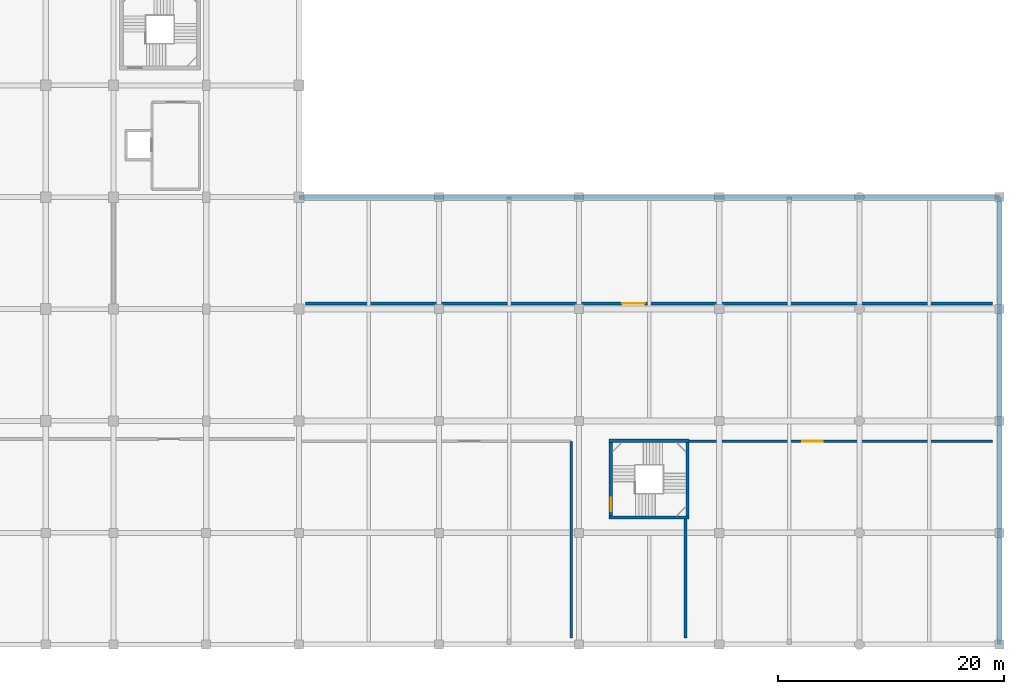
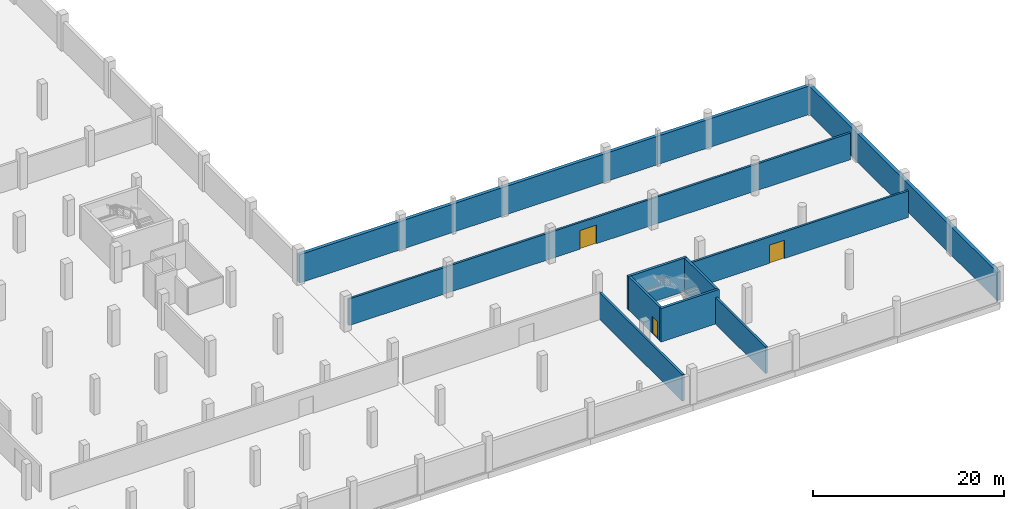
# One storey, part 15 of 32: 10 walls, 3 doors, 3 openings.
"""IFC4 building model written with IfcOpenShell, lengths in metres."""

from ifc_helpers import new_model, si_unit, direction, frame, frame_2d, origin, place, context, subcontext, project, spatial, rectangle, extrude, material, layer, layer_set, type_object, element, fill, save


model = new_model("IFC4")

# Units and contexts
model_context = context("Model", 3, precision=1e-05, world=origin(), true_north=direction((0.0, 1.0)))
body_context = subcontext(model_context, "Body", "Model", "MODEL_VIEW")
ifc_project = project(units=[si_unit("LENGTHUNIT", "METRE"), si_unit("AREAUNIT", "SQUARE_METRE"), si_unit("VOLUMEUNIT", "CUBIC_METRE"), si_unit("PLANEANGLEUNIT", "RADIAN"), si_unit("MASSUNIT", "GRAM", prefix="KILO")], contexts=[model_context])

# Site, building, storey
site_placement = place(None, origin())
site = spatial("IfcSite", under=ifc_project, at=site_placement, CompositionType="ELEMENT")
building_placement = place(site_placement, origin())
building = spatial("IfcBuilding", under=site, at=building_placement, Name="Sillaruma Civic Art Gallery", CompositionType="ELEMENT")
storey_placement = place(building_placement, frame((0.0, 0.0, -4.590087890625)))
storey = spatial("IfcBuildingStorey", under=building, at=storey_placement, Name="B01", CompositionType="ELEMENT", Elevation=-4.590087890625)

# Walls
ifc_material_1 = material(Name="Concrete H40 (40 MPa)", Category="concrete")
ifc_layer_1 = layer(ifc_material_1, 0.300048828125, Name="Concrete H40 (40 MPa)")
ifc_layer_set_1 = layer_set([ifc_layer_1], Name="Concrete H40 (40 MPa)")
wall_type_1 = type_object("IfcWallType", Name="WAL-CORE-300", PredefinedType="SHEAR", material=ifc_layer_set_1)
for number, where, z_axis, x_axis, name in (
    (1, (141.860107421875, 11.25, 0.0), (0.0, 0.0, 1.0), (1.0, 0.0, 0.0), "Stair Core Shear Wall W-CORE-300 (ST-05:B01:S)"),
    (2, (141.860107421875, 18.030029296875, 0.0), (0.0, 0.0, 1.0), (1.0, 0.0, 0.0), "Stair Core Shear Wall W-CORE-300 (ST-05:B01:N)"),
):
    element("IfcWall", number, at=place(storey_placement, frame(where, z_axis=z_axis, x_axis=x_axis)), inside=storey, type_object=wall_type_1, Name=name, PredefinedType="SHEAR", context=body_context, shape_type="SweptSolid", body=[
        extrude(rectangle(XDim=7.079833984375, YDim=0.300048828125, at=frame_2d((3.5400390625, 0.0))), origin(), (0.0, 0.0, 1.0), 4.2900390625),
    ])

# Wall, opening, door
wall_1_placement = place(storey_placement, frame((142.010009765625, 11.39990234375, 0.0), z_axis=(0.0, 0.0, 1.0), x_axis=(0.0, 1.0, 0.0)))
wall_1 = element("IfcWall", 3, at=wall_1_placement, inside=storey, type_object=wall_type_1, Name="Stair Core Shear Wall W-CORE-300 (ST-05:B01:W)", PredefinedType="SHEAR", context=body_context, shape_type="SweptSolid", body=[
    extrude(rectangle(XDim=6.47998046875, YDim=0.300048828125, at=frame_2d((3.239990234375, 0.0))), origin(), (0.0, 0.0, 1.0), 4.2900390625),
])
opening_1_placement = place(wall_1_placement, frame((0.419921875, 0.0, 0.0)))
opening_1 = element("IfcOpeningElement", 4, at=opening_1_placement, cuts=wall_1, Name="Opening D-STAIR", PredefinedType="OPENING", context=body_context, shape_type="SweptSolid", body=[
    extrude(rectangle(XDim=1.199951171875, YDim=2.199951171875, at=frame_2d((0.60009765625, 1.10009765625))), frame((0.0, 0.159912109375, 0.0), z_axis=(0.0, -1.0, 0.0), x_axis=(1.0, 0.0, 0.0)), (0.0, 0.0, 1.0), 0.320068359375),
])
ifc_material_2 = material(Name="Galvanised Steel ASTM A653 Gr.50", Category="steel")
door_type_1 = type_object("IfcDoorType", Name="DOR-STAIR-120", OperationType="NOTDEFINED", PredefinedType="DOOR", material=ifc_material_2)
door_1_placement = place(opening_1_placement, frame((1.199951171875, 0.0, 0.0), z_axis=(0.0, 0.0, 1.0), x_axis=(-1.0, 0.0, 0.0)))
door_1 = element("IfcDoor", 5, at=door_1_placement, inside=storey, type_object=door_type_1, Name="Protected Stair Fire Door (ST-05:B01)", OperationType="SINGLE_SWING_RIGHT", OverallHeight=2.199951171875, OverallWidth=1.199951171875, PredefinedType="DOOR", context=body_context, shape_type="SweptSolid", body=[
    extrude(rectangle(XDim=1.199951171875, YDim=2.199951171875, at=frame_2d((0.60009765625, 1.10009765625))), frame((0.0, 0.02490234375, 0.0), z_axis=(0.0, -1.0, 0.0), x_axis=(1.0, 0.0, 0.0)), (0.0, 0.0, 1.0), 0.050048828125),
])
fill(opening_1, door_1)

# Walls
wall_2_placement = place(storey_placement, frame((148.7900390625, 11.39990234375, 0.0), z_axis=(0.0, 0.0, 1.0), x_axis=(0.0, 1.0, 0.0)))
element("IfcWall", 6, at=wall_2_placement, inside=storey, type_object=wall_type_1, Name="Stair Core Shear Wall W-CORE-300 (ST-05:B01:E)", PredefinedType="SHEAR", context=body_context, shape_type="SweptSolid", body=[
    extrude(rectangle(XDim=6.47998046875, YDim=0.300048828125, at=frame_2d((3.239990234375, 0.0))), origin(), (0.0, 0.0, 1.0), 4.2900390625),
])
ifc_layer_2 = layer(ifc_material_1, 0.39990234375, Name="Concrete H40 (40 MPa)")
ifc_layer_set_2 = layer_set([ifc_layer_2], Name="Concrete H40 (40 MPa)")
wall_type_2 = type_object("IfcWallType", Name="WAL-RET-400", PredefinedType="USERDEFINED", material=ifc_layer_set_2)
wall_3_placement = place(storey_placement, frame((176.39990234375, 0.0, 0.0), z_axis=(0.0, 0.0, 1.0), x_axis=(0.0, 1.0, 0.0)))
element("IfcWall", 7, at=wall_3_placement, inside=storey, type_object=wall_type_2, Name="Exterior Wall W-RET-400 (RET-B01-02)", ObjectType="RETAININGWALL", PredefinedType="USERDEFINED", context=body_context, shape_type="SweptSolid", body=[
    extrude(rectangle(XDim=39.60009765625, YDim=0.39990234375, at=frame_2d((19.800048828125, 0.0))), origin(), (0.0, 0.0, 1.0), 3.64013671875),
])
wall_4_placement = place(storey_placement, frame((176.39990234375, 39.60009765625, 0.0), z_axis=(0.0, 0.0, 1.0), x_axis=(-1.0, 0.0, 0.0)))
element("IfcWall", 8, at=wall_4_placement, inside=storey, type_object=wall_type_2, Name="Exterior Wall W-RET-400 (RET-B01-03)", ObjectType="RETAININGWALL", PredefinedType="USERDEFINED", context=body_context, shape_type="SweptSolid", body=[
    extrude(rectangle(XDim=62.0, YDim=0.39990234375, at=frame_2d((31.0, 0.0))), origin(), (0.0, 0.0, 1.0), 3.64013671875),
])

# Wall, opening, door
ifc_material_3 = material(Name="Concrete Masonry Unit Grade M15", Category="masonry")
ifc_layer_3 = layer(ifc_material_3, 0.2548828125, Name="Concrete Masonry Unit Grade M15")
ifc_layer_set_3 = layer_set([ifc_layer_3], Name="Concrete Masonry Unit Grade M15")
wall_type_3 = type_object("IfcWallType", Name="WAL-STORE-250", PredefinedType="SOLIDWALL", material=ifc_layer_set_3)
wall_5_placement = place(storey_placement, frame((115.0, 30.199951171875, 0.0), z_axis=(0.0, 0.0, 1.0), x_axis=(1.0, 0.0, 0.0)))
wall_5 = element("IfcWall", 9, at=wall_5_placement, inside=storey, type_object=wall_type_3, Name="Interior Wall W-STORE-250 (B01-STRE1)", PredefinedType="SOLIDWALL", context=body_context, shape_type="SweptSolid", body=[
    extrude(rectangle(XDim=60.800048828125, YDim=0.2548828125, at=frame_2d((30.39990234375, 0.0))), origin(), (0.0, 0.0, 1.0), 3.41015625),
])
opening_2_placement = place(wall_5_placement, frame((28.0, 0.0, 0.0)))
opening_2 = element("IfcOpeningElement", 10, at=opening_2_placement, cuts=wall_5, Name="Opening D-STORE", PredefinedType="OPENING", context=body_context, shape_type="SweptSolid", body=[
    extrude(rectangle(XDim=2.0, YDim=2.39990234375, at=frame_2d((1.0, 1.199951171875))), frame((0.0, 0.137451171875, 0.0), z_axis=(0.0, -1.0, 0.0), x_axis=(1.0, 0.0, 0.0)), (0.0, 0.0, 1.0), 0.27490234375),
])
door_type_2 = type_object("IfcDoorType", Name="DOR-STORE-200", OperationType="NOTDEFINED", PredefinedType="DOOR", material=ifc_material_2)
door_2_placement = place(opening_2_placement, origin())
door_2 = element("IfcDoor", 11, at=door_2_placement, inside=storey, type_object=door_type_2, Name="Archival Solander Art Store Door (D-STORE)", OperationType="DOUBLE_DOOR_SINGLE_SWING", OverallHeight=2.39990234375, OverallWidth=2.0, PredefinedType="DOOR", context=body_context, shape_type="SweptSolid", body=[
    extrude(rectangle(XDim=2.0, YDim=2.39990234375, at=frame_2d((1.0, 1.199951171875))), frame((0.0, 0.02490234375, 0.0), z_axis=(0.0, -1.0, 0.0), x_axis=(1.0, 0.0, 0.0)), (0.0, 0.0, 1.0), 0.050048828125),
])
fill(opening_2, door_2)

# Wall
wall_6_placement = place(storey_placement, frame((138.5, 0.60009765625, 0.0), z_axis=(0.0, 0.0, 1.0), x_axis=(0.0, 1.0, 0.0)))
element("IfcWall", 12, at=wall_6_placement, inside=storey, type_object=wall_type_3, Name="Interior Wall W-STORE-250 (B01-STRE2)", PredefinedType="SOLIDWALL", context=body_context, shape_type="SweptSolid", body=[
    extrude(rectangle(XDim=17.39990234375, YDim=0.2548828125, at=frame_2d((8.699951171875, 0.0))), origin(), (0.0, 0.0, 1.0), 3.41015625),
])

# Wall, opening, door
wall_7_placement = place(storey_placement, frame((148.93994140625, 18.0, 0.0), z_axis=(0.0, 0.0, 1.0), x_axis=(1.0, 0.0, 0.0)))
wall_7 = element("IfcWall", 13, at=wall_7_placement, inside=storey, type_object=wall_type_3, Name="Interior Wall W-STORE-250 (B01-STRE3)", PredefinedType="SOLIDWALL", context=body_context, shape_type="SweptSolid", body=[
    extrude(rectangle(XDim=26.860107421875, YDim=0.2548828125, at=frame_2d((13.43017578125, 0.0))), origin(), (0.0, 0.0, 1.0), 3.41015625),
])
opening_3_placement = place(wall_7_placement, frame((10.0, 0.0, 0.0)))
opening_3 = element("IfcOpeningElement", 14, at=opening_3_placement, cuts=wall_7, Name="Opening D-STR18", PredefinedType="OPENING", context=body_context, shape_type="SweptSolid", body=[
    extrude(rectangle(XDim=1.800048828125, YDim=2.35009765625, at=frame_2d((0.89990234375, 1.175048828125))), frame((0.0, 0.137451171875, 0.0), z_axis=(0.0, -1.0, 0.0), x_axis=(1.0, 0.0, 0.0)), (0.0, 0.0, 1.0), 0.27490234375),
])
door_type_3 = type_object("IfcDoorType", Name="DOR-STORE-180", OperationType="NOTDEFINED", PredefinedType="DOOR", material=ifc_material_2)
door_3_placement = place(opening_3_placement, origin())
door_3 = element("IfcDoor", 15, at=door_3_placement, inside=storey, type_object=door_type_3, Name="East Vault Art Store Door (D-STR18)", OperationType="DOUBLE_DOOR_SINGLE_SWING", OverallHeight=2.35009765625, OverallWidth=1.800048828125, PredefinedType="DOOR", context=body_context, shape_type="SweptSolid", body=[
    extrude(rectangle(XDim=1.800048828125, YDim=2.35009765625, at=frame_2d((0.89990234375, 1.175048828125))), frame((0.0, 0.02490234375, 0.0), z_axis=(0.0, -1.0, 0.0), x_axis=(1.0, 0.0, 0.0)), (0.0, 0.0, 1.0), 0.050048828125),
])
fill(opening_3, door_3)

# Wall
wall_8_placement = place(storey_placement, frame((148.60009765625, 0.60009765625, 0.0), z_axis=(0.0, 0.0, 1.0), x_axis=(0.0, 1.0, 0.0)))
element("IfcWall", 16, at=wall_8_placement, inside=storey, type_object=wall_type_3, Name="Interior Wall W-STORE-250 (B01-STRE3)", PredefinedType="SOLIDWALL", context=body_context, shape_type="SweptSolid", body=[
    extrude(rectangle(XDim=10.5, YDim=0.2548828125, at=frame_2d((5.25, 0.0))), origin(), (0.0, 0.0, 1.0), 3.41015625),
])

save(model, "model.ifc")
